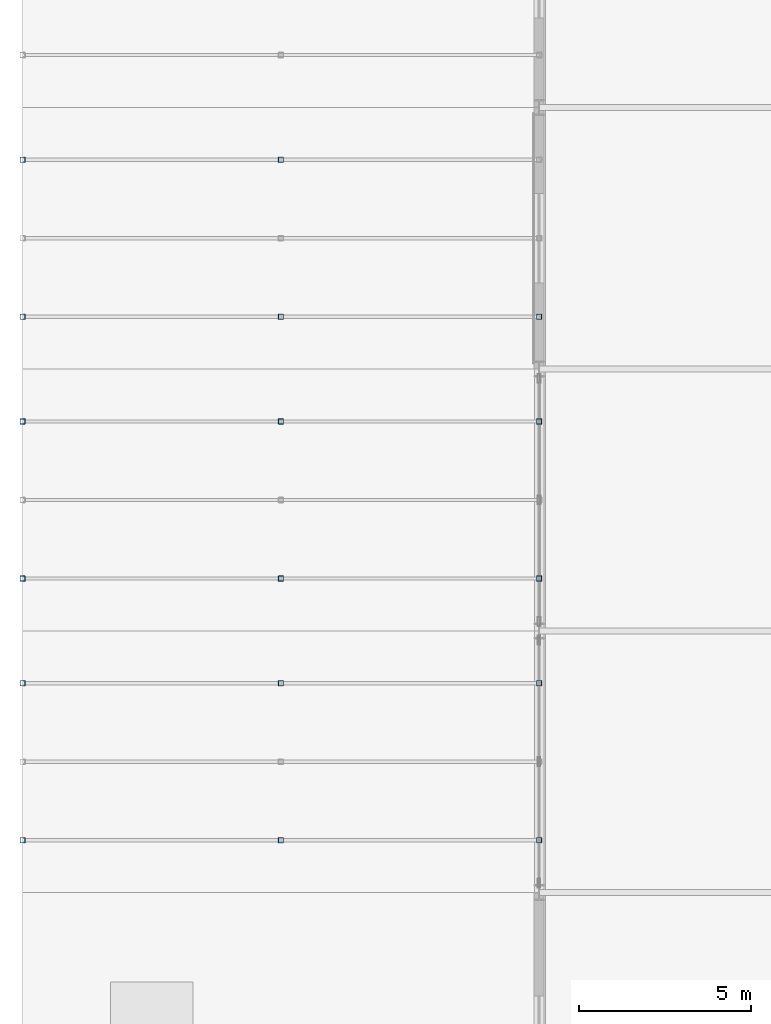
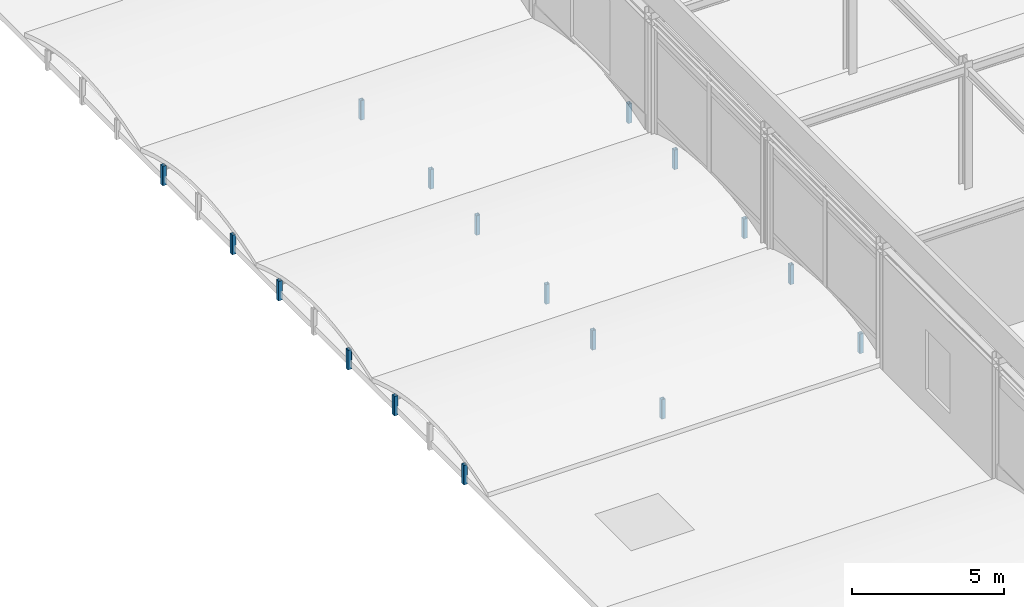
# One storey, part 77 of 113: 17 members.
"""IFC4 building model written with IfcOpenShell, lengths in metres."""

from ifc_helpers import new_model, si_unit, direction, frame, origin, origin_2d, place, context, subcontext, project, spatial, hollow_rectangle, extrude, material, material_profile, profile_set, type_object, element, save


model = new_model("IFC4")

# Units and contexts
model_context = context("Model", 3, precision=1e-05, world=origin(), true_north=direction((0.0, 1.0)))
body_context = subcontext(model_context, "Body", "Model", "MODEL_VIEW")
ifc_project = project(units=[si_unit("LENGTHUNIT", "METRE"), si_unit("AREAUNIT", "SQUARE_METRE"), si_unit("VOLUMEUNIT", "CUBIC_METRE"), si_unit("PLANEANGLEUNIT", "RADIAN"), si_unit("MASSUNIT", "GRAM", prefix="KILO")], contexts=[model_context])

# Site, building, storey
site_placement = place(None, origin())
site = spatial("IfcSite", under=ifc_project, at=site_placement, CompositionType="ELEMENT")
building_placement = place(site_placement, origin())
building = spatial("IfcBuilding", under=site, at=building_placement, Name="Shalkamar Park Central Library", CompositionType="ELEMENT")
storey_placement = place(building_placement, frame((0.0, 0.0, 5.39990234375)))
storey = spatial("IfcBuildingStorey", under=building, at=storey_placement, Name="L02", CompositionType="ELEMENT", Elevation=5.39990234375)

# Members
ifc_material = material(Name="Steel S355", Category="steel")
ifc_material_profile = material_profile(ifc_material, hollow_rectangle(XDim=0.14990234375, YDim=0.14990234375, WallThickness=0.008056640625, InnerFilletRadius=0.008056640625, OuterFilletRadius=0.011962890625, at=origin_2d()), Name="SHS 150x150x8")
ifc_profile_set = profile_set([ifc_material_profile], Name="Steel S355")
member_type = type_object("IfcMemberType", Name="Diagonal Brace SHS150", PredefinedType="BRACE", material=ifc_profile_set)
for number, where, z_axis, x_axis, name in (
    (1, (120.0, 279.52001953125, -0.35986328125), (0.0, 0.0, 1.0), (1.0, 0.0, 0.0), "Vault Arch Post BV-L01-W4-01.1"),
    (2, (120.0, 284.080078125, -0.35986328125), (0.0, 0.0, 1.0), (1.0, 0.0, 0.0), "Vault Arch Post BV-L01-W4-01.3"),
    (3, (127.5, 279.52001953125, -0.35986328125), (0.0, 0.0, 1.0), (1.0, 0.0, 0.0), "Vault Arch Post BV-L01-W4-02.1"),
    (4, (127.5, 284.080078125, -0.35986328125), (0.0, 0.0, 1.0), (1.0, 0.0, 0.0), "Vault Arch Post BV-L01-W4-02.3"),
    (5, (135.0, 279.52001953125, -0.35986328125), (0.0, 0.0, 1.0), (1.0, 0.0, 0.0), "Vault Arch Post BV-L01-W4-03.1"),
    (6, (135.0, 284.080078125, -0.35986328125), (0.0, 0.0, 1.0), (1.0, 0.0, 0.0), "Vault Arch Post BV-L01-W4-03.3"),
    (7, (120.0, 287.1201171875, -0.35986328125), (0.0, 0.0, 1.0), (1.0, 0.0, 0.0), "Vault Arch Post BV-L01-W5-01.1"),
    (8, (120.0, 291.679931640625, -0.35986328125), (0.0, 0.0, 1.0), (1.0, 0.0, 0.0), "Vault Arch Post BV-L01-W5-01.3"),
    (9, (127.5, 287.1201171875, -0.35986328125), (0.0, 0.0, 1.0), (1.0, 0.0, 0.0), "Vault Arch Post BV-L01-W5-02.1"),
    (10, (127.5, 291.679931640625, -0.35986328125), (0.0, 0.0, 1.0), (1.0, 0.0, 0.0), "Vault Arch Post BV-L01-W5-02.3"),
    (11, (135.0, 287.1201171875, -0.35986328125), (0.0, 0.0, 1.0), (1.0, 0.0, 0.0), "Vault Arch Post BV-L01-W5-03.1"),
    (12, (135.0, 291.679931640625, -0.35986328125), (0.0, 0.0, 1.0), (1.0, 0.0, 0.0), "Vault Arch Post BV-L01-W5-03.3"),
    (13, (120.0, 294.719970703125, -0.35986328125), (0.0, 0.0, 1.0), (1.0, 0.0, 0.0), "Vault Arch Post BV-L01-W6-01.1"),
    (14, (120.0, 299.280029296875, -0.35986328125), (0.0, 0.0, 1.0), (1.0, 0.0, 0.0), "Vault Arch Post BV-L01-W6-01.3"),
    (15, (127.5, 294.719970703125, -0.35986328125), (0.0, 0.0, 1.0), (1.0, 0.0, 0.0), "Vault Arch Post BV-L01-W6-02.1"),
    (16, (127.5, 299.280029296875, -0.35986328125), (0.0, 0.0, 1.0), (1.0, 0.0, 0.0), "Vault Arch Post BV-L01-W6-02.3"),
    (17, (135.0, 294.719970703125, -0.35986328125), (0.0, 0.0, 1.0), (1.0, 0.0, 0.0), "Vault Arch Post BV-L01-W6-03.1"),
):
    element("IfcMember", number, at=place(storey_placement, frame(where, z_axis=z_axis, x_axis=x_axis)), inside=storey, type_object=member_type, Name=name, PredefinedType="BRACE", context=body_context, shape_type="SweptSolid", body=[
        extrude(hollow_rectangle(XDim=0.14990234375, YDim=0.14990234375, WallThickness=0.008056640625, InnerFilletRadius=0.008056640625, OuterFilletRadius=0.011962890625, at=origin_2d()), origin(), (0.0, 0.0, 1.0), 0.78076171875),
    ])

save(model, "model.ifc")
